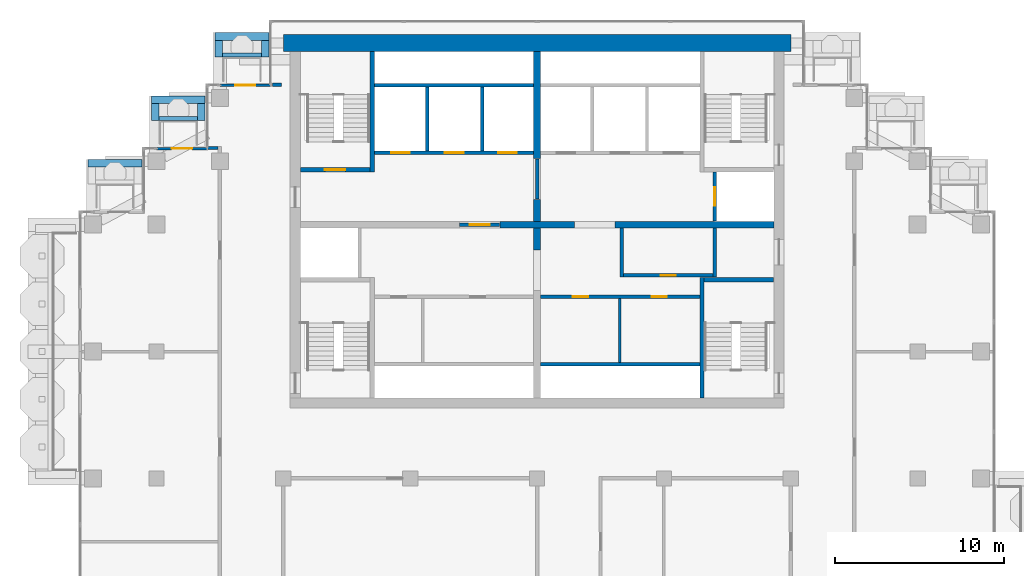
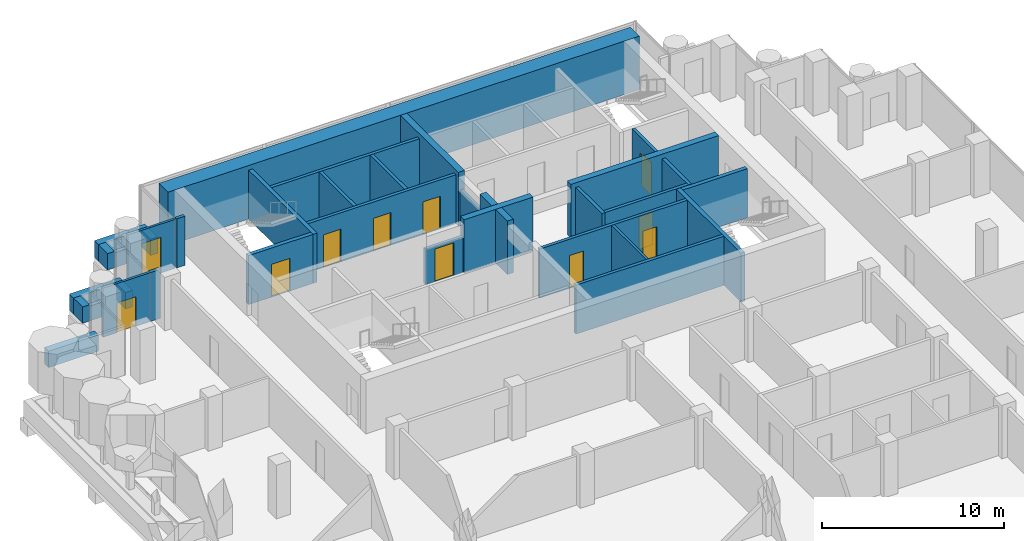
# One storey, part 13 of 18: 36 walls, 11 doors, 11 openings.
"""IFC4 building model written with IfcOpenShell, lengths in metres."""

import ifcopenshell
import ifcopenshell.guid

model = None  # the IFC model being written
_history = None  # IfcOwnerHistory: only IFC2X3 demands one
_inside = {}  # id of a spatial element -> (the spatial element, [elements in it])
_under = {}  # id of a project, library or spatial element -> (it, [spatial elements below it])
_declared = {}  # id of a project -> (the project, [libraries it declares])
_typed = {}  # id of a type object -> (the type object, [elements of that type])
_made_of = {}  # id of a material, layer set ... -> (it, [elements and type objects made of it])


def new_model(schema):
    """Start an empty IFC model of exactly this schema.

    Asked for "IFC4X3", IfcOpenShell would pick the latest addendum, in which some entities
    have other attributes; the version numbers below select the first issue.
    IFC2X3 requires an IfcOwnerHistory on every rooted entity: one is made here for all.
    """
    global model, _history
    if schema == "IFC4X3":
        model = ifcopenshell.file(schema_version=(4, 3, 0, 0))
    else:
        model = ifcopenshell.file(schema=schema)
    _inside.clear()
    _under.clear()
    _declared.clear()
    _typed.clear()
    _made_of.clear()
    _history = None
    if model.schema == "IFC2X3":
        org = make("IfcOrganization", Name="unknown")
        user = make(
            "IfcPersonAndOrganization",
            ThePerson=make("IfcPerson", FamilyName="unknown"),
            TheOrganization=org,
        )
        app = make(
            "IfcApplication",
            ApplicationDeveloper=org,
            Version="unknown",
            ApplicationFullName="unknown",
            ApplicationIdentifier="unknown",
        )
        _history = make(
            "IfcOwnerHistory",
            OwningUser=user,
            OwningApplication=app,
            ChangeAction="ADDED",
            CreationDate=0,
        )
    return model


def make(cls, **values):
    """One entity of the class cls with the attributes given. An attribute that is None is left unset."""
    return model.create_entity(
        cls, **{name: value for name, value in values.items() if value is not None}
    )


def rooted(cls, **values):
    """An entity with a GlobalId (a new one), such as an element, a storey or a relation."""
    return make(cls, GlobalId=ifcopenshell.guid.new(), OwnerHistory=_history, **values)


def si_unit(unit_type, name, prefix=None):
    """IfcSIUnit, for example si_unit("LENGTHUNIT", "METRE", prefix="MILLI")."""
    return make("IfcSIUnit", UnitType=unit_type, Prefix=prefix, Name=name)


def assignment(units):
    """IfcUnitAssignment: the units of a project."""
    return None if units is None else make("IfcUnitAssignment", Units=units)


def point(xyz):
    """IfcCartesianPoint."""
    return None if xyz is None else make("IfcCartesianPoint", Coordinates=xyz)


def direction(xyz):
    """IfcDirection."""
    return None if xyz is None else make("IfcDirection", DirectionRatios=xyz)


def frame(location, z_axis=None, x_axis=None):
    """IfcAxis2Placement3D, a coordinate frame: its origin and axes. An axis left out is left unset."""
    return make(
        "IfcAxis2Placement3D",
        Location=point(location),
        Axis=direction(z_axis),
        RefDirection=direction(x_axis),
    )


def frame_2d(location, x_axis=None):
    """IfcAxis2Placement2D, a coordinate frame in the plane: its origin and x axis."""
    return make(
        "IfcAxis2Placement2D", Location=point(location), RefDirection=direction(x_axis)
    )


def origin():
    """The frame at (0, 0, 0) with its axes left unset."""
    return frame((0.0, 0.0, 0.0))


def place(relative_to, where):
    """IfcLocalPlacement: puts the frame where relative to a parent placement (None: the world)."""
    return make(
        "IfcLocalPlacement", PlacementRelTo=relative_to, RelativePlacement=where
    )


def context(
    kind, dimensions, precision=None, world=None, true_north=None, identifier=None
):
    """IfcGeometricRepresentationContext, for example the 3D "Model" context."""
    return make(
        "IfcGeometricRepresentationContext",
        ContextIdentifier=identifier,
        ContextType=kind,
        CoordinateSpaceDimension=dimensions,
        Precision=precision,
        WorldCoordinateSystem=world,
        TrueNorth=true_north,
    )


def subcontext(parent, identifier, kind, view, scale=None):
    """IfcGeometricRepresentationSubContext, for example "Body" below "Model"."""
    return make(
        "IfcGeometricRepresentationSubContext",
        ContextIdentifier=identifier,
        ContextType=kind,
        ParentContext=parent,
        TargetScale=scale,
        TargetView=view,
    )


def project(units=None, contexts=None):
    """IfcProject with its units and contexts."""
    return rooted(
        "IfcProject",
        Name="project",
        RepresentationContexts=contexts,
        UnitsInContext=assignment(units),
    )


def spatial(cls, under=None, at=None, **own):
    """A site, building, storey or space (cls), placed at a placement, below another one or the project."""
    s = rooted(cls, ObjectPlacement=at, **own)
    if under is not None:
        _under.setdefault(under.id(), (under, []))[1].append(s)
    return s


def profile(cls, at=None, kind="AREA", **sizes):
    """A parametric profile (cls). Its sizes go by their IFC names, for example OverallWidth=200.0."""
    return make(cls, ProfileType=kind, Position=at, **sizes)


def rectangle(**sizes):
    """IfcRectangleProfileDef."""
    return profile("IfcRectangleProfileDef", **sizes)


def extrude(swept, where, along, depth):
    """IfcExtrudedAreaSolid: the profile swept, set in the frame where, extruded along a direction by depth."""
    return make(
        "IfcExtrudedAreaSolid",
        SweptArea=swept,
        Position=where,
        ExtrudedDirection=direction(along),
        Depth=depth,
    )


def shape(context_of_items, identifier, shape_type, items):
    """IfcShapeRepresentation: the items that make up one representation, for example the "Body"."""
    return make(
        "IfcShapeRepresentation",
        ContextOfItems=context_of_items,
        RepresentationIdentifier=identifier,
        RepresentationType=shape_type,
        Items=items,
    )


def material(Name=None, Category=None):
    """IfcMaterial."""
    return make("IfcMaterial", Name=Name, Category=Category)


def layer(
    of_material, thickness, ventilated=None, Name=None, Category=None, Priority=None
):
    """IfcMaterialLayer: one layer of a wall or slab, of a material (None: an air gap)."""
    return make(
        "IfcMaterialLayer",
        Material=of_material,
        LayerThickness=thickness,
        IsVentilated=ventilated,
        Name=Name,
        Category=Category,
        Priority=Priority,
    )


def layer_set(layers, Name=None):
    """IfcMaterialLayerSet."""
    return make("IfcMaterialLayerSet", MaterialLayers=layers, LayerSetName=Name)


def made_of(thing, what):
    """Note that an element or type object is made of a material, layer set ...; save() writes the relation."""
    if what is not None:
        _made_of.setdefault(what.id(), (what, []))[1].append(thing)
    return thing


def type_object(cls, material=None, **own):
    """A type object (cls), such as IfcWallType, which elements share."""
    return made_of(rooted(cls, **own), material)


def element(
    cls,
    number,
    at=None,
    inside=None,
    cuts=None,
    type_object=None,
    material=None,
    context=None,
    identifier="Body",
    shape_type=None,
    held_by="IfcProductDefinitionShape",
    body=None,
    shapes=None,
    **own,
):
    """One element of the class cls, such as IfcWall. Its Tag is "e" and its number.

    at: its placement. inside: the storey or other place that contains it. cuts: it is an
    opening in that element (IfcRelVoidsElement). A single representation is given by context,
    identifier, shape_type and body (its items); several are given by shapes. held_by: the class
    of the entity that holds the representations. save() writes the other relations.
    """
    e = rooted(cls, Tag="e%d" % number, ObjectPlacement=at, **own)
    if body is not None:
        shapes = [shape(context, identifier, shape_type, body)]
    if shapes is not None:
        e.Representation = make(held_by, Representations=shapes)
    if inside is not None:
        _inside.setdefault(inside.id(), (inside, []))[1].append(e)
    if cuts is not None:
        rooted(
            "IfcRelVoidsElement", RelatingBuildingElement=cuts, RelatedOpeningElement=e
        )
    if type_object is not None:
        _typed.setdefault(type_object.id(), (type_object, []))[1].append(e)
    return made_of(e, material)


def fill(opening, filler):
    """IfcRelFillsElement: the door or window that sits in an opening."""
    return rooted(
        "IfcRelFillsElement",
        RelatingOpeningElement=opening,
        RelatedBuildingElement=filler,
    )


def aggregate(whole, parts):
    """IfcRelAggregates: a whole, such as a stair, and the parts it consists of."""
    return rooted("IfcRelAggregates", RelatingObject=whole, RelatedObjects=parts)


def save(model, path):
    """Write the relations noted so far, then the file.

    IfcRelAggregates (storeys below a building ...), IfcRelContainedInSpatialStructure (elements
    in a storey), IfcRelDefinesByType, IfcRelAssociatesMaterial and IfcRelDeclares: one each for
    every whole, place, type object, material and project.
    """
    for whole, parts in _under.values():
        aggregate(whole, parts)
    for where, things in _inside.values():
        rooted(
            "IfcRelContainedInSpatialStructure",
            RelatedElements=things,
            RelatingStructure=where,
        )
    for kind, things in _typed.values():
        rooted("IfcRelDefinesByType", RelatedObjects=things, RelatingType=kind)
    for what, things in _made_of.values():
        rooted("IfcRelAssociatesMaterial", RelatedObjects=things, RelatingMaterial=what)
    for by, libraries in _declared.values():
        rooted("IfcRelDeclares", RelatingContext=by, RelatedDefinitions=libraries)
    model.write(path)


model = new_model("IFC4")

# Units and contexts
model_context = context("Model", 3, precision=1e-05, world=origin(), true_north=direction((0.0, 1.0)))
body_context = subcontext(model_context, "Body", "Model", "MODEL_VIEW")
ifc_project = project(units=[si_unit("LENGTHUNIT", "METRE"), si_unit("AREAUNIT", "SQUARE_METRE"), si_unit("VOLUMEUNIT", "CUBIC_METRE"), si_unit("PLANEANGLEUNIT", "RADIAN"), si_unit("MASSUNIT", "GRAM", prefix="KILO")], contexts=[model_context])

# Site, building, storey
site_placement = place(None, origin())
site = spatial("IfcSite", under=ifc_project, at=site_placement, CompositionType="ELEMENT")
building_placement = place(site_placement, origin())
building = spatial("IfcBuilding", under=site, at=building_placement, Name="Pilkhan Gate Tower", CompositionType="ELEMENT")
storey_placement = place(building_placement, frame((0.0, 0.0, 221.10009765625)))
storey = spatial("IfcBuildingStorey", under=building, at=storey_placement, Name="L57", CompositionType="ELEMENT", Elevation=221.10009765625)

# Walls
ifc_material_1 = material(Name="Concrete C40/50", Category="concrete")
ifc_layer_1 = layer(ifc_material_1, 0.25)
ifc_layer_set_1 = layer_set([ifc_layer_1], Name="Balcony planter BP250")
wall_type_1 = type_object("IfcWallType", Name="Balcony planter BP250", PredefinedType="USERDEFINED", material=ifc_layer_set_1)
wall_1_placement = place(storey_placement, frame((56.39990234375, 92.52490234375, 0.0), z_axis=(0.0, 0.0, 1.0), x_axis=(1.0, 0.0, 0.0)))
element("IfcWall", 1, at=wall_1_placement, inside=storey, type_object=wall_type_1, Name="Balcony planter L57 N", ObjectType="BALCONY PLANTER", PredefinedType="USERDEFINED", context=body_context, shape_type="SweptSolid", body=[
    extrude(rectangle(XDim=2.300048828125, YDim=0.25, at=frame_2d((1.14990234375, 0.0))), origin(), (0.0, 0.0, 1.0), 1.0),
])
wall_2_placement = place(storey_placement, frame((52.64990234375, 88.77490234375, 0.0), z_axis=(0.0, 0.0, 1.0), x_axis=(1.0, 0.0, 0.0)))
element("IfcWall", 2, at=wall_2_placement, inside=storey, type_object=wall_type_1, Name="Balcony planter L57 N", ObjectType="BALCONY PLANTER", PredefinedType="USERDEFINED", context=body_context, shape_type="SweptSolid", body=[
    extrude(rectangle(XDim=2.280029296875, YDim=0.25, at=frame_2d((1.14013671875, 0.0))), origin(), (0.0, 0.0, 1.0), 1.0),
])
ifc_material_2 = material(Name="Board-marked Concrete C40/50", Category="concrete")
ifc_layer_2 = layer(ifc_material_2, 0.449951171875)
ifc_layer_set_2 = layer_set([ifc_layer_2], Name="Balcony planter lip BL450")
wall_type_2 = type_object("IfcWallType", Name="Balcony planter lip BL450", PredefinedType="USERDEFINED", material=ifc_layer_set_2)
wall_3_placement = place(storey_placement, frame((55.949951171875, 93.625, 0.0), z_axis=(0.0, 0.0, 1.0), x_axis=(1.0, 0.0, 0.0)))
element("IfcWall", 3, at=wall_3_placement, inside=storey, type_object=wall_type_2, Name="Balcony planter L57 N", ObjectType="BALCONY PLANTER", PredefinedType="USERDEFINED", context=body_context, shape_type="SweptSolid", body=[
    extrude(rectangle(XDim=3.199951171875, YDim=0.449951171875, at=frame_2d((1.60009765625, 0.0))), origin(), (0.0, 0.0, 1.0), 1.099853515625),
])
for number, where, z_axis, x_axis, name in (
    (4, (56.175048828125, 92.39990234375, 0.0), (0.0, 0.0, 1.0), (0.0, 1.0, 0.0), "Balcony planter L57 N"),
    (5, (58.925048828125, 92.39990234375, 0.0), (0.0, 0.0, 1.0), (0.0, 1.0, 0.0), "Balcony planter L57 N"),
):
    element("IfcWall", number, at=place(storey_placement, frame(where, z_axis=z_axis, x_axis=x_axis)), inside=storey, type_object=wall_type_2, Name=name, ObjectType="BALCONY PLANTER", PredefinedType="USERDEFINED", context=body_context, shape_type="SweptSolid", body=[
        extrude(rectangle(XDim=1.0, YDim=0.449951171875, at=frame_2d((0.5, 0.0))), origin(), (0.0, 0.0, 1.0), 1.099853515625),
    ])
wall_4_placement = place(storey_placement, frame((52.199951171875, 89.875, 0.0), z_axis=(0.0, 0.0, 1.0), x_axis=(1.0, 0.0, 0.0)))
element("IfcWall", 6, at=wall_4_placement, inside=storey, type_object=wall_type_2, Name="Balcony planter L57 N", ObjectType="BALCONY PLANTER", PredefinedType="USERDEFINED", context=body_context, shape_type="SweptSolid", body=[
    extrude(rectangle(XDim=3.179931640625, YDim=0.449951171875, at=frame_2d((1.58984375, 0.0))), origin(), (0.0, 0.0, 1.0), 1.099853515625),
])
for number, where, z_axis, x_axis, name in (
    (7, (52.425048828125, 88.64990234375, 0.0), (0.0, 0.0, 1.0), (0.0, 1.0, 0.0), "Balcony planter L57 N"),
    (8, (55.155029296875, 88.64990234375, 0.0), (0.0, 0.0, 1.0), (0.0, 1.0, 0.0), "Balcony planter L57 N"),
):
    element("IfcWall", number, at=place(storey_placement, frame(where, z_axis=z_axis, x_axis=x_axis)), inside=storey, type_object=wall_type_2, Name=name, ObjectType="BALCONY PLANTER", PredefinedType="USERDEFINED", context=body_context, shape_type="SweptSolid", body=[
        extrude(rectangle(XDim=1.0, YDim=0.449951171875, at=frame_2d((0.5, 0.0))), origin(), (0.0, 0.0, 1.0), 1.099853515625),
    ])
wall_5_placement = place(storey_placement, frame((48.449951171875, 86.125, 0.0), z_axis=(0.0, 0.0, 1.0), x_axis=(1.0, 0.0, 0.0)))
element("IfcWall", 9, at=wall_5_placement, inside=storey, type_object=wall_type_2, Name="Balcony planter L57 N", ObjectType="BALCONY PLANTER", PredefinedType="USERDEFINED", context=body_context, shape_type="SweptSolid", body=[
    extrude(rectangle(XDim=3.179931640625, YDim=0.449951171875, at=frame_2d((1.58984375, 0.0))), origin(), (0.0, 0.0, 1.0), 1.099853515625),
])
ifc_material_3 = material(Name="Concrete C50/60", Category="concrete")
ifc_layer_3 = layer(ifc_material_3, 1.0)
ifc_layer_set_3 = layer_set([ifc_layer_3], Name="Core wall CW1000 C50/60")
wall_type_3 = type_object("IfcWallType", Name="Core wall CW1000 C50/60", PredefinedType="SHEAR", material=ifc_layer_set_3)
wall_6_placement = place(storey_placement, frame((90.0, 93.25, 0.0), z_axis=(0.0, 0.0, 1.0), x_axis=(-1.0, 0.0, 0.0)))
element("IfcWall", 10, at=wall_6_placement, inside=storey, type_object=wall_type_3, Name="Core wall N L57", PredefinedType="SHEAR", context=body_context, shape_type="SweptSolid", body=[
    extrude(rectangle(XDim=30.0, YDim=1.0, at=frame_2d((15.0, 0.0))), origin(), (0.0, 0.0, 1.0), 3.599853515625),
])
ifc_material_4 = material(Name="Dense blockwork", Category="masonry")
ifc_layer_4 = layer(ifc_material_4, 0.199951171875)
ifc_layer_set_4 = layer_set([ifc_layer_4], Name="Corridor wall FW200")
wall_type_4 = type_object("IfcWallType", Name="Corridor wall FW200", PredefinedType="PARTITIONING", material=ifc_layer_set_4)
wall_7_placement = place(storey_placement, frame((55.510009765625, 87.030029296875, 0.0), z_axis=(0.0, 0.0, 1.0), x_axis=(1.0, 0.0, 0.0)))
element("IfcWall", 11, at=wall_7_placement, inside=storey, type_object=wall_type_4, Name="Partition L57", PredefinedType="PARTITIONING", context=body_context, shape_type="SweptSolid", body=[
    extrude(rectangle(XDim=0.639892578125, YDim=0.199951171875, at=frame_2d((0.31982421875, 0.0))), origin(), (0.0, 0.0, 1.0), 3.2998046875),
])
wall_8_placement = place(storey_placement, frame((59.35498046875, 90.764892578125, 0.0), z_axis=(0.0, 0.0, 1.0), x_axis=(1.0, 0.0, 0.0)))
element("IfcWall", 12, at=wall_8_placement, inside=storey, type_object=wall_type_4, Name="Partition L57", PredefinedType="PARTITIONING", context=body_context, shape_type="SweptSolid", body=[
    extrude(rectangle(XDim=0.52490234375, YDim=0.199951171875, at=frame_2d((0.262451171875, 0.0))), origin(), (0.0, 0.0, 1.0), 3.2998046875),
])

# Wall, opening, door
ifc_material_5 = material(Name="Pale anodised aluminium, clear laminated glazing", Category="aluminium")
ifc_layer_5 = layer(ifc_material_5, 0.14990234375)
ifc_layer_set_5 = layer_set([ifc_layer_5], Name="Facade infill wall IW150")
wall_type_5 = type_object("IfcWallType", Name="Facade infill wall IW150", PredefinedType="SOLIDWALL", material=ifc_layer_set_5)
wall_9_placement = place(storey_placement, frame((56.25, 90.75, 0.0), z_axis=(0.0, 0.0, 1.0), x_axis=(1.0, 0.0, 0.0)))
wall_9 = element("IfcWall", 13, at=wall_9_placement, inside=storey, type_object=wall_type_5, Name="Infill wall L57 N", PredefinedType="SOLIDWALL", context=body_context, shape_type="SweptSolid", body=[
    extrude(rectangle(XDim=3.0, YDim=0.14990234375, at=frame_2d((1.5, 0.0))), origin(), (0.0, 0.0, 1.0), 3.2998046875),
])
opening_1_placement = place(wall_9_placement, frame((0.89990234375, 0.0, 0.0)))
opening_1 = element("IfcOpeningElement", 14, at=opening_1_placement, cuts=wall_9, Name="Opening D1", PredefinedType="OPENING", context=body_context, shape_type="SweptSolid", body=[
    extrude(rectangle(XDim=1.199951171875, YDim=2.39990234375, at=frame_2d((0.60009765625, 1.199951171875))), frame((0.0, 0.0849609375, 0.0), z_axis=(0.0, -1.0, 0.0), x_axis=(1.0, 0.0, 0.0)), (0.0, 0.0, 1.0), 0.169921875),
])
ifc_material_6 = material(Name="Pale anodised aluminium, clear glazing", Category="aluminium")
door_type_1 = type_object("IfcDoorType", Name="Balcony door D1 1200x2400", OperationType="SINGLE_SWING_LEFT", PredefinedType="DOOR", material=ifc_material_6)
door_1_placement = place(opening_1_placement, origin())
door_1 = element("IfcDoor", 15, at=door_1_placement, inside=storey, type_object=door_type_1, Name="Balcony door L57", OperationType="SINGLE_SWING_LEFT", OverallHeight=2.39990234375, OverallWidth=1.199951171875, PredefinedType="DOOR", context=body_context, shape_type="SweptSolid", body=[
    extrude(rectangle(XDim=1.199951171875, YDim=2.39990234375, at=frame_2d((0.60009765625, 1.199951171875))), frame((0.0, 0.02490234375, 0.0), z_axis=(0.0, -1.0, 0.0), x_axis=(1.0, 0.0, 0.0)), (0.0, 0.0, 1.0), 0.050048828125),
])
fill(opening_1, door_1)

wall_10_placement = place(storey_placement, frame((52.5, 87.0, 0.0), z_axis=(0.0, 0.0, 1.0), x_axis=(1.0, 0.0, 0.0)))
wall_10 = element("IfcWall", 16, at=wall_10_placement, inside=storey, type_object=wall_type_5, Name="Infill wall L57 N", PredefinedType="SOLIDWALL", context=body_context, shape_type="SweptSolid", body=[
    extrude(rectangle(XDim=3.0, YDim=0.14990234375, at=frame_2d((1.5, 0.0))), origin(), (0.0, 0.0, 1.0), 3.2998046875),
])
opening_2_placement = place(wall_10_placement, frame((0.89990234375, 0.0, 0.0)))
opening_2 = element("IfcOpeningElement", 17, at=opening_2_placement, cuts=wall_10, Name="Opening D1L", PredefinedType="OPENING", context=body_context, shape_type="SweptSolid", body=[
    extrude(rectangle(XDim=1.199951171875, YDim=2.0, at=frame_2d((0.60009765625, 1.0))), frame((0.0, 0.0849609375, 0.0), z_axis=(0.0, -1.0, 0.0), x_axis=(1.0, 0.0, 0.0)), (0.0, 0.0, 1.0), 0.169921875),
])
door_type_2 = type_object("IfcDoorType", Name="Balcony door D1L 1200x2000", OperationType="SINGLE_SWING_LEFT", PredefinedType="DOOR", material=ifc_material_6)
door_2_placement = place(opening_2_placement, origin())
door_2 = element("IfcDoor", 18, at=door_2_placement, inside=storey, type_object=door_type_2, Name="Balcony door L57", OperationType="SINGLE_SWING_LEFT", OverallHeight=2.0, OverallWidth=1.199951171875, PredefinedType="DOOR", context=body_context, shape_type="SweptSolid", body=[
    extrude(rectangle(XDim=1.199951171875, YDim=2.0, at=frame_2d((0.60009765625, 1.0))), frame((0.0, 0.02490234375, 0.0), z_axis=(0.0, -1.0, 0.0), x_axis=(1.0, 0.0, 0.0)), (0.0, 0.0, 1.0), 0.050048828125),
])
fill(opening_2, door_2)

# Wall
ifc_layer_6 = layer(ifc_material_4, 0.199951171875)
ifc_layer_set_6 = layer_set([ifc_layer_6], Name="Lobby wall LW200")
wall_type_6 = type_object("IfcWallType", Name="Lobby wall LW200", PredefinedType="PARTITIONING", material=ifc_layer_set_6)
wall_11_placement = place(storey_placement, frame((75.2099609375, 74.25, 0.0), z_axis=(0.0, 0.0, 1.0), x_axis=(1.0, 0.0, 0.0)))
element("IfcWall", 19, at=wall_11_placement, inside=storey, type_object=wall_type_6, Name="Partition L57", PredefinedType="PARTITIONING", context=body_context, shape_type="SweptSolid", body=[
    extrude(rectangle(XDim=9.4150390625, YDim=0.199951171875, at=frame_2d((4.70751953125, 0.0))), origin(), (0.0, 0.0, 1.0), 3.2998046875),
])

# Wall, openings, doors
wall_12_placement = place(storey_placement, frame((75.2099609375, 78.25, 0.0), z_axis=(0.0, 0.0, 1.0), x_axis=(1.0, 0.0, 0.0)))
wall_12 = element("IfcWall", 20, at=wall_12_placement, inside=storey, type_object=wall_type_6, Name="Partition L57", PredefinedType="PARTITIONING", context=body_context, shape_type="SweptSolid", body=[
    extrude(rectangle(XDim=9.4150390625, YDim=0.199951171875, at=frame_2d((4.70751953125, 0.0))), origin(), (0.0, 0.0, 1.0), 3.2998046875),
])
opening_3_placement = place(wall_12_placement, frame((1.89990234375, 0.0, 0.0)))
opening_3 = element("IfcOpeningElement", 21, at=opening_3_placement, cuts=wall_12, Name="Opening L57-11", PredefinedType="OPENING", context=body_context, shape_type="SweptSolid", body=[
    extrude(rectangle(XDim=0.89990234375, YDim=2.199951171875, at=frame_2d((0.449951171875, 1.10009765625))), frame((0.0, 0.10986328125, 0.0), z_axis=(0.0, -1.0, 0.0), x_axis=(1.0, 0.0, 0.0)), (0.0, 0.0, 1.0), 0.219970703125),
])
opening_4_placement = place(wall_12_placement, frame((6.56494140625, 0.0, 0.0)))
opening_4 = element("IfcOpeningElement", 22, at=opening_4_placement, cuts=wall_12, Name="Opening L57-12", PredefinedType="OPENING", context=body_context, shape_type="SweptSolid", body=[
    extrude(rectangle(XDim=0.89990234375, YDim=2.199951171875, at=frame_2d((0.449951171875, 1.10009765625))), frame((0.0, 0.10986328125, 0.0), z_axis=(0.0, -1.0, 0.0), x_axis=(1.0, 0.0, 0.0)), (0.0, 0.0, 1.0), 0.219970703125),
])
ifc_material_7 = material(Name="Timber flush door, 60 minute fire resisting, self-closing", Category="wood")
door_type_3 = type_object("IfcDoorType", Name="Store door D05 900x2200", OperationType="SINGLE_SWING_LEFT", PredefinedType="DOOR", material=ifc_material_7)
door_3_placement = place(opening_3_placement, origin())
door_3 = element("IfcDoor", 23, at=door_3_placement, inside=storey, type_object=door_type_3, Name="Store door", OperationType="SINGLE_SWING_RIGHT", OverallHeight=2.199951171875, OverallWidth=0.89990234375, PredefinedType="DOOR", context=body_context, shape_type="SweptSolid", body=[
    extrude(rectangle(XDim=0.89990234375, YDim=2.199951171875, at=frame_2d((0.449951171875, 1.10009765625))), frame((0.0, 0.02490234375, 0.0), z_axis=(0.0, -1.0, 0.0), x_axis=(1.0, 0.0, 0.0)), (0.0, 0.0, 1.0), 0.050048828125),
])
fill(opening_3, door_3)
door_4_placement = place(opening_4_placement, origin())
door_4 = element("IfcDoor", 24, at=door_4_placement, inside=storey, type_object=door_type_3, Name="Store door", OperationType="SINGLE_SWING_LEFT", OverallHeight=2.199951171875, OverallWidth=0.89990234375, PredefinedType="DOOR", context=body_context, shape_type="SweptSolid", body=[
    extrude(rectangle(XDim=0.89990234375, YDim=2.199951171875, at=frame_2d((0.449951171875, 1.10009765625))), frame((0.0, 0.02490234375, 0.0), z_axis=(0.0, -1.0, 0.0), x_axis=(1.0, 0.0, 0.0)), (0.0, 0.0, 1.0), 0.050048828125),
])
fill(opening_4, door_4)

# Wall, opening, door
wall_13_placement = place(storey_placement, frame((80.10009765625, 79.5, 0.0), z_axis=(0.0, 0.0, 1.0), x_axis=(1.0, 0.0, 0.0)))
wall_13 = element("IfcWall", 25, at=wall_13_placement, inside=storey, type_object=wall_type_6, Name="Partition L57", PredefinedType="PARTITIONING", context=body_context, shape_type="SweptSolid", body=[
    extrude(rectangle(XDim=5.2998046875, YDim=0.199951171875, at=frame_2d((2.64990234375, 0.0))), origin(), (0.0, 0.0, 1.0), 3.2998046875),
])
opening_5_placement = place(wall_13_placement, frame((2.199951171875, 0.0, 0.0)))
opening_5 = element("IfcOpeningElement", 26, at=opening_5_placement, cuts=wall_13, Name="Opening L57-07", PredefinedType="OPENING", context=body_context, shape_type="SweptSolid", body=[
    extrude(rectangle(XDim=0.89990234375, YDim=2.199951171875, at=frame_2d((0.449951171875, 1.10009765625))), frame((0.0, 0.10986328125, 0.0), z_axis=(0.0, -1.0, 0.0), x_axis=(1.0, 0.0, 0.0)), (0.0, 0.0, 1.0), 0.219970703125),
])
door_5_placement = place(opening_5_placement, origin())
door_5 = element("IfcDoor", 27, at=door_5_placement, inside=storey, type_object=door_type_3, Name="Store door", OperationType="SINGLE_SWING_LEFT", OverallHeight=2.199951171875, OverallWidth=0.89990234375, PredefinedType="DOOR", context=body_context, shape_type="SweptSolid", body=[
    extrude(rectangle(XDim=0.89990234375, YDim=2.199951171875, at=frame_2d((0.449951171875, 1.10009765625))), frame((0.0, 0.02490234375, 0.0), z_axis=(0.0, -1.0, 0.0), x_axis=(1.0, 0.0, 0.0)), (0.0, 0.0, 1.0), 0.050048828125),
])
fill(opening_5, door_5)

wall_14_placement = place(storey_placement, frame((70.409912109375, 82.5, 0.0), z_axis=(0.0, 0.0, 1.0), x_axis=(1.0, 0.0, 0.0)))
wall_14 = element("IfcWall", 28, at=wall_14_placement, inside=storey, type_object=wall_type_6, Name="Partition L57", PredefinedType="PARTITIONING", context=body_context, shape_type="SweptSolid", body=[
    extrude(rectangle(XDim=2.380126953125, YDim=0.199951171875, at=frame_2d((1.18994140625, 0.0))), origin(), (0.0, 0.0, 1.0), 2.39990234375),
])
opening_6_placement = place(wall_14_placement, frame((0.60009765625, 0.0, 0.0)))
opening_6 = element("IfcOpeningElement", 29, at=opening_6_placement, cuts=wall_14, Name="Opening L57-01", PredefinedType="OPENING", context=body_context, shape_type="SweptSolid", body=[
    extrude(rectangle(XDim=1.199951171875, YDim=2.199951171875, at=frame_2d((0.60009765625, 1.10009765625))), frame((0.0, 0.10986328125, 0.0), z_axis=(0.0, -1.0, 0.0), x_axis=(1.0, 0.0, 0.0)), (0.0, 0.0, 1.0), 0.219970703125),
])
ifc_material_8 = material(Name="Steel door, 120 minute fire resisting, self-closing", Category="steel")
door_type_4 = type_object("IfcDoorType", Name="Firefighting lobby door D10 1200x2200", OperationType="SINGLE_SWING_LEFT", PredefinedType="DOOR", material=ifc_material_8)
door_6_placement = place(opening_6_placement, origin())
door_6 = element("IfcDoor", 30, at=door_6_placement, inside=storey, type_object=door_type_4, Name="Firefighting lobby door", OperationType="SINGLE_SWING_LEFT", OverallHeight=2.199951171875, OverallWidth=1.199951171875, PredefinedType="DOOR", context=body_context, shape_type="SweptSolid", body=[
    extrude(rectangle(XDim=1.199951171875, YDim=2.199951171875, at=frame_2d((0.60009765625, 1.10009765625))), frame((0.0, 0.02490234375, 0.0), z_axis=(0.0, -1.0, 0.0), x_axis=(1.0, 0.0, 0.0)), (0.0, 0.0, 1.0), 0.050048828125),
])
fill(opening_6, door_6)

# Walls
wall_15_placement = place(storey_placement, frame((75.0, 84.010009765625, 0.0), z_axis=(0.0, 0.0, 1.0), x_axis=(0.0, 1.0, 0.0)))
element("IfcWall", 31, at=wall_15_placement, inside=storey, type_object=wall_type_6, Name="Partition L57", PredefinedType="PARTITIONING", context=body_context, shape_type="SweptSolid", body=[
    extrude(rectangle(XDim=2.3798828125, YDim=0.199951171875, at=frame_2d((1.18994140625, 0.0))), origin(), (0.0, 0.0, 1.0), 2.39990234375),
])
for number, where, z_axis, x_axis, name in (
    (32, (80.0, 79.39990234375, 0.0), (0.0, 0.0, 1.0), (0.0, 1.0, 0.0), "Partition L57"),
    (33, (85.5, 79.39990234375, 0.0), (0.0, 0.0, 1.0), (0.0, 1.0, 0.0), "Partition L57"),
):
    element("IfcWall", number, at=place(storey_placement, frame(where, z_axis=z_axis, x_axis=x_axis)), inside=storey, type_object=wall_type_6, Name=name, PredefinedType="PARTITIONING", context=body_context, shape_type="SweptSolid", body=[
        extrude(rectangle(XDim=2.89013671875, YDim=0.199951171875, at=frame_2d((1.445068359375, 0.0))), origin(), (0.0, 0.0, 1.0), 3.2998046875),
    ])
ifc_material_9 = material(Name="Blockwork partition, plastered both sides", Category="masonry")
ifc_layer_7 = layer(ifc_material_9, 0.14990234375)
ifc_layer_set_7 = layer_set([ifc_layer_7], Name="Partition PW150")
wall_type_7 = type_object("IfcWallType", Name="Partition PW150", PredefinedType="PARTITIONING", material=ifc_layer_set_7)
wall_16_placement = place(storey_placement, frame((79.875, 74.35009765625, 0.0), z_axis=(0.0, 0.0, 1.0), x_axis=(0.0, 1.0, 0.0)))
element("IfcWall", 34, at=wall_16_placement, inside=storey, type_object=wall_type_7, Name="Partition L57", PredefinedType="PARTITIONING", context=body_context, shape_type="SweptSolid", body=[
    extrude(rectangle(XDim=3.7998046875, YDim=0.14990234375, at=frame_2d((1.89990234375, 0.0))), origin(), (0.0, 0.0, 1.0), 3.2998046875),
])

# Wall, openings, doors
ifc_material_10 = material(Name="Reinforced blockwork shaft wall, 120 minute fire resisting", Category="masonry")
ifc_layer_8 = layer(ifc_material_10, 0.199951171875)
ifc_layer_set_8 = layer_set([ifc_layer_8], Name="Shaft wall SW200")
wall_type_8 = type_object("IfcWallType", Name="Shaft wall SW200", PredefinedType="PARTITIONING", material=ifc_layer_set_8)
wall_17_placement = place(storey_placement, frame((65.375, 86.75, 0.0), z_axis=(0.0, 0.0, 1.0), x_axis=(1.0, 0.0, 0.0)))
wall_17 = element("IfcWall", 35, at=wall_17_placement, inside=storey, type_object=wall_type_8, Name="Partition L57", PredefinedType="PARTITIONING", context=body_context, shape_type="SweptSolid", body=[
    extrude(rectangle(XDim=9.4150390625, YDim=0.199951171875, at=frame_2d((4.70751953125, 0.0))), origin(), (0.0, 0.0, 1.0), 3.2998046875),
])
opening_7_placement = place(wall_17_placement, frame((1.0, 0.0, 0.0)))
opening_7 = element("IfcOpeningElement", 36, at=opening_7_placement, cuts=wall_17, Name="Opening LD", PredefinedType="OPENING", context=body_context, shape_type="SweptSolid", body=[
    extrude(rectangle(XDim=1.10009765625, YDim=2.199951171875, at=frame_2d((0.550048828125, 1.10009765625))), frame((0.0, 0.10986328125, 0.0), z_axis=(0.0, -1.0, 0.0), x_axis=(1.0, 0.0, 0.0)), (0.0, 0.0, 1.0), 0.219970703125),
])
opening_8_placement = place(wall_17_placement, frame((4.175048828125, 0.0, 0.0)))
opening_8 = element("IfcOpeningElement", 37, at=opening_8_placement, cuts=wall_17, Name="Opening LD", PredefinedType="OPENING", context=body_context, shape_type="SweptSolid", body=[
    extrude(rectangle(XDim=1.10009765625, YDim=2.199951171875, at=frame_2d((0.550048828125, 1.10009765625))), frame((0.0, 0.10986328125, 0.0), z_axis=(0.0, -1.0, 0.0), x_axis=(1.0, 0.0, 0.0)), (0.0, 0.0, 1.0), 0.219970703125),
])
opening_9_placement = place(wall_17_placement, frame((7.324951171875, 0.0, 0.0)))
opening_9 = element("IfcOpeningElement", 38, at=opening_9_placement, cuts=wall_17, Name="Opening LD", PredefinedType="OPENING", context=body_context, shape_type="SweptSolid", body=[
    extrude(rectangle(XDim=1.10009765625, YDim=2.199951171875, at=frame_2d((0.550048828125, 1.10009765625))), frame((0.0, 0.10986328125, 0.0), z_axis=(0.0, -1.0, 0.0), x_axis=(1.0, 0.0, 0.0)), (0.0, 0.0, 1.0), 0.219970703125),
])
ifc_material_11 = material(Name="Stainless steel centre-opening landing door, 120 minute fire resisting", Category="steel")
door_type_5 = type_object("IfcDoorType", Name="Lift landing door LD 1100x2200", OperationType="DOUBLE_DOOR_SLIDING", PredefinedType="DOOR", material=ifc_material_11)
door_7_placement = place(opening_7_placement, origin())
door_7 = element("IfcDoor", 39, at=door_7_placement, inside=storey, type_object=door_type_5, Name="Landing door FF1", OperationType="DOUBLE_DOOR_SLIDING", OverallHeight=2.199951171875, OverallWidth=1.10009765625, PredefinedType="DOOR", context=body_context, shape_type="SweptSolid", body=[
    extrude(rectangle(XDim=1.10009765625, YDim=2.199951171875, at=frame_2d((0.550048828125, 1.10009765625))), frame((0.0, 0.02490234375, 0.0), z_axis=(0.0, -1.0, 0.0), x_axis=(1.0, 0.0, 0.0)), (0.0, 0.0, 1.0), 0.050048828125),
])
fill(opening_7, door_7)
door_8_placement = place(opening_8_placement, origin())
door_8 = element("IfcDoor", 40, at=door_8_placement, inside=storey, type_object=door_type_5, Name="Landing door FF2", OperationType="DOUBLE_DOOR_SLIDING", OverallHeight=2.199951171875, OverallWidth=1.10009765625, PredefinedType="DOOR", context=body_context, shape_type="SweptSolid", body=[
    extrude(rectangle(XDim=1.10009765625, YDim=2.199951171875, at=frame_2d((0.550048828125, 1.10009765625))), frame((0.0, 0.02490234375, 0.0), z_axis=(0.0, -1.0, 0.0), x_axis=(1.0, 0.0, 0.0)), (0.0, 0.0, 1.0), 0.050048828125),
])
fill(opening_8, door_8)
door_9_placement = place(opening_9_placement, origin())
door_9 = element("IfcDoor", 41, at=door_9_placement, inside=storey, type_object=door_type_5, Name="Landing door SV1", OperationType="DOUBLE_DOOR_SLIDING", OverallHeight=2.199951171875, OverallWidth=1.10009765625, PredefinedType="DOOR", context=body_context, shape_type="SweptSolid", body=[
    extrude(rectangle(XDim=1.10009765625, YDim=2.199951171875, at=frame_2d((0.550048828125, 1.10009765625))), frame((0.0, 0.02490234375, 0.0), z_axis=(0.0, -1.0, 0.0), x_axis=(1.0, 0.0, 0.0)), (0.0, 0.0, 1.0), 0.050048828125),
])
fill(opening_9, door_9)

# Walls
wall_18_placement = place(storey_placement, frame((65.375, 90.75, 0.0), z_axis=(0.0, 0.0, 1.0), x_axis=(1.0, 0.0, 0.0)))
element("IfcWall", 42, at=wall_18_placement, inside=storey, type_object=wall_type_8, Name="Partition L57", PredefinedType="PARTITIONING", context=body_context, shape_type="SweptSolid", body=[
    extrude(rectangle(XDim=9.4150390625, YDim=0.199951171875, at=frame_2d((4.70751953125, 0.0))), origin(), (0.0, 0.0, 1.0), 3.2998046875),
])
for number, where, z_axis, x_axis, name in (
    (43, (68.5, 86.85009765625, 0.0), (0.0, 0.0, 1.0), (0.0, 1.0, 0.0), "Partition L57"),
    (44, (71.75, 86.85009765625, 0.0), (0.0, 0.0, 1.0), (0.0, 1.0, 0.0), "Partition L57"),
):
    element("IfcWall", number, at=place(storey_placement, frame(where, z_axis=z_axis, x_axis=x_axis)), inside=storey, type_object=wall_type_8, Name=name, PredefinedType="PARTITIONING", context=body_context, shape_type="SweptSolid", body=[
        extrude(rectangle(XDim=3.7998046875, YDim=0.199951171875, at=frame_2d((1.89990234375, 0.0))), origin(), (0.0, 0.0, 1.0), 3.2998046875),
    ])

# Wall, opening, door
wall_19_placement = place(storey_placement, frame((85.5, 82.7099609375, 0.0), z_axis=(0.0, 0.0, 1.0), x_axis=(0.0, 1.0, 0.0)))
wall_19 = element("IfcWall", 45, at=wall_19_placement, inside=storey, type_object=wall_type_8, Name="Partition L57", PredefinedType="PARTITIONING", context=body_context, shape_type="SweptSolid", body=[
    extrude(rectangle(XDim=2.9150390625, YDim=0.199951171875, at=frame_2d((1.45751953125, 0.0))), origin(), (0.0, 0.0, 1.0), 3.2998046875),
])
opening_10_placement = place(wall_19_placement, frame((0.89990234375, 0.0, 0.0)))
opening_10 = element("IfcOpeningElement", 46, at=opening_10_placement, cuts=wall_19, Name="Opening LD", PredefinedType="OPENING", context=body_context, shape_type="SweptSolid", body=[
    extrude(rectangle(XDim=1.10009765625, YDim=2.199951171875, at=frame_2d((0.550048828125, 1.10009765625))), frame((0.0, 0.10986328125, 0.0), z_axis=(0.0, -1.0, 0.0), x_axis=(1.0, 0.0, 0.0)), (0.0, 0.0, 1.0), 0.219970703125),
])
door_10_placement = place(opening_10_placement, origin())
door_10 = element("IfcDoor", 47, at=door_10_placement, inside=storey, type_object=door_type_5, Name="Landing door HR4", OperationType="DOUBLE_DOOR_SLIDING", OverallHeight=2.199951171875, OverallWidth=1.10009765625, PredefinedType="DOOR", context=body_context, shape_type="SweptSolid", body=[
    extrude(rectangle(XDim=1.10009765625, YDim=2.199951171875, at=frame_2d((0.550048828125, 1.10009765625))), frame((0.0, 0.02490234375, 0.0), z_axis=(0.0, -1.0, 0.0), x_axis=(1.0, 0.0, 0.0)), (0.0, 0.0, 1.0), 0.050048828125),
])
fill(opening_10, door_10)

# Walls
ifc_layer_9 = layer(ifc_material_3, 0.39990234375)
ifc_layer_set_9 = layer_set([ifc_layer_9], Name="Spine wall SW400 C50/60")
wall_type_9 = type_object("IfcWallType", Name="Spine wall SW400 C50/60", PredefinedType="SHEAR", material=ifc_layer_set_9)
wall_20_placement = place(storey_placement, frame((72.800048828125, 82.5, 0.0), z_axis=(0.0, 0.0, 1.0), x_axis=(1.0, 0.0, 0.0)))
element("IfcWall", 48, at=wall_20_placement, inside=storey, type_object=wall_type_9, Name="Spine wall SP-EW2 L57", PredefinedType="SHEAR", context=body_context, shape_type="SweptSolid", body=[
    extrude(rectangle(XDim=4.39990234375, YDim=0.39990234375, at=frame_2d((2.199951171875, 0.0))), origin(), (0.0, 0.0, 1.0), 3.599853515625),
])
wall_21_placement = place(storey_placement, frame((79.60009765625, 82.5, 0.0), z_axis=(0.0, 0.0, 1.0), x_axis=(1.0, 0.0, 0.0)))
element("IfcWall", 49, at=wall_21_placement, inside=storey, type_object=wall_type_9, Name="Spine wall SP-EW3 L57", PredefinedType="SHEAR", context=body_context, shape_type="SweptSolid", body=[
    extrude(rectangle(XDim=9.39990234375, YDim=0.39990234375, at=frame_2d((4.699951171875, 0.0))), origin(), (0.0, 0.0, 1.0), 3.599853515625),
])
for number, where, z_axis, x_axis, name in (
    (50, (75.0, 81.0, 0.0), (0.0, 0.0, 1.0), (0.0, 1.0, 0.0), "Spine wall SP-NS-S2 L57"),
    (51, (75.0, 82.699951171875, 0.0), (0.0, 0.0, 1.0), (0.0, 1.0, 0.0), "Spine wall SP-NS-N1 L57"),
):
    element("IfcWall", number, at=place(storey_placement, frame(where, z_axis=z_axis, x_axis=x_axis)), inside=storey, type_object=wall_type_9, Name=name, PredefinedType="SHEAR", context=body_context, shape_type="SweptSolid", body=[
        extrude(rectangle(XDim=1.300048828125, YDim=0.39990234375, at=frame_2d((0.64990234375, 0.0))), origin(), (0.0, 0.0, 1.0), 3.599853515625),
    ])
wall_22_placement = place(storey_placement, frame((75.0, 86.39990234375, 0.0), z_axis=(0.0, 0.0, 1.0), x_axis=(0.0, 1.0, 0.0)))
element("IfcWall", 52, at=wall_22_placement, inside=storey, type_object=wall_type_9, Name="Spine wall SP-NS-N2 L57", PredefinedType="SHEAR", context=body_context, shape_type="SweptSolid", body=[
    extrude(rectangle(XDim=6.35009765625, YDim=0.39990234375, at=frame_2d((3.175048828125, 0.0))), origin(), (0.0, 0.0, 1.0), 3.599853515625),
])
ifc_material_12 = material(Name="Reinforced blockwork, 120 minute fire resisting", Category="masonry")
ifc_layer_10 = layer(ifc_material_12, 0.25)
ifc_layer_set_10 = layer_set([ifc_layer_10], Name="Stair enclosure wall SE250")
wall_type_10 = type_object("IfcWallType", Name="Stair enclosure wall SE250", PredefinedType="PARTITIONING", material=ifc_layer_set_10)
wall_23_placement = place(storey_placement, frame((84.875, 79.25, 0.0), z_axis=(0.0, 0.0, 1.0), x_axis=(1.0, 0.0, 0.0)))
element("IfcWall", 53, at=wall_23_placement, inside=storey, type_object=wall_type_10, Name="Partition L57", PredefinedType="PARTITIONING", context=body_context, shape_type="SweptSolid", body=[
    extrude(rectangle(XDim=4.114990234375, YDim=0.25, at=frame_2d((2.0576171875, 0.0))), origin(), (0.0, 0.0, 1.0), 3.2998046875),
])

# Wall, opening, door
wall_24_placement = place(storey_placement, frame((61.010009765625, 85.75, 0.0), z_axis=(0.0, 0.0, 1.0), x_axis=(1.0, 0.0, 0.0)))
wall_24 = element("IfcWall", 54, at=wall_24_placement, inside=storey, type_object=wall_type_10, Name="Partition L57", PredefinedType="PARTITIONING", context=body_context, shape_type="SweptSolid", body=[
    extrude(rectangle(XDim=4.114990234375, YDim=0.25, at=frame_2d((2.0576171875, 0.0))), origin(), (0.0, 0.0, 1.0), 3.2998046875),
])
opening_11_placement = place(wall_24_placement, frame((1.449951171875, 0.0, 0.0)))
opening_11 = element("IfcOpeningElement", 55, at=opening_11_placement, cuts=wall_24, Name="Opening L57-02", PredefinedType="OPENING", context=body_context, shape_type="SweptSolid", body=[
    extrude(rectangle(XDim=1.199951171875, YDim=2.199951171875, at=frame_2d((0.60009765625, 1.10009765625))), frame((0.0, 0.135009765625, 0.0), z_axis=(0.0, -1.0, 0.0), x_axis=(1.0, 0.0, 0.0)), (0.0, 0.0, 1.0), 0.27001953125),
])
ifc_material_13 = material(Name="Steel door, 120 minute fire resisting, panic bar", Category="steel")
door_type_6 = type_object("IfcDoorType", Name="Stair door D11 1200x2200", OperationType="SINGLE_SWING_LEFT", PredefinedType="DOOR", material=ifc_material_13)
door_11_placement = place(opening_11_placement, origin())
door_11 = element("IfcDoor", 56, at=door_11_placement, inside=storey, type_object=door_type_6, Name="Stair ST3 lobby door", OperationType="SINGLE_SWING_LEFT", OverallHeight=2.199951171875, OverallWidth=1.199951171875, PredefinedType="DOOR", context=body_context, shape_type="SweptSolid", body=[
    extrude(rectangle(XDim=1.199951171875, YDim=2.199951171875, at=frame_2d((0.60009765625, 1.10009765625))), frame((0.0, 0.02490234375, 0.0), z_axis=(0.0, -1.0, 0.0), x_axis=(1.0, 0.0, 0.0)), (0.0, 0.0, 1.0), 0.050048828125),
])
fill(opening_11, door_11)

# Walls
for number, where, z_axis, x_axis, name in (
    (57, (65.25, 85.625, 0.0), (0.0, 0.0, 1.0), (0.0, 1.0, 0.0), "Partition L57"),
    (58, (84.75, 72.260009765625, 0.0), (0.0, 0.0, 1.0), (0.0, 1.0, 0.0), "Partition L57"),
):
    element("IfcWall", number, at=place(storey_placement, frame(where, z_axis=z_axis, x_axis=x_axis)), inside=storey, type_object=wall_type_10, Name=name, PredefinedType="PARTITIONING", context=body_context, shape_type="SweptSolid", body=[
        extrude(rectangle(XDim=7.114990234375, YDim=0.25, at=frame_2d((3.5576171875, 0.0))), origin(), (0.0, 0.0, 1.0), 3.2998046875),
    ])

save(model, "model.ifc")
